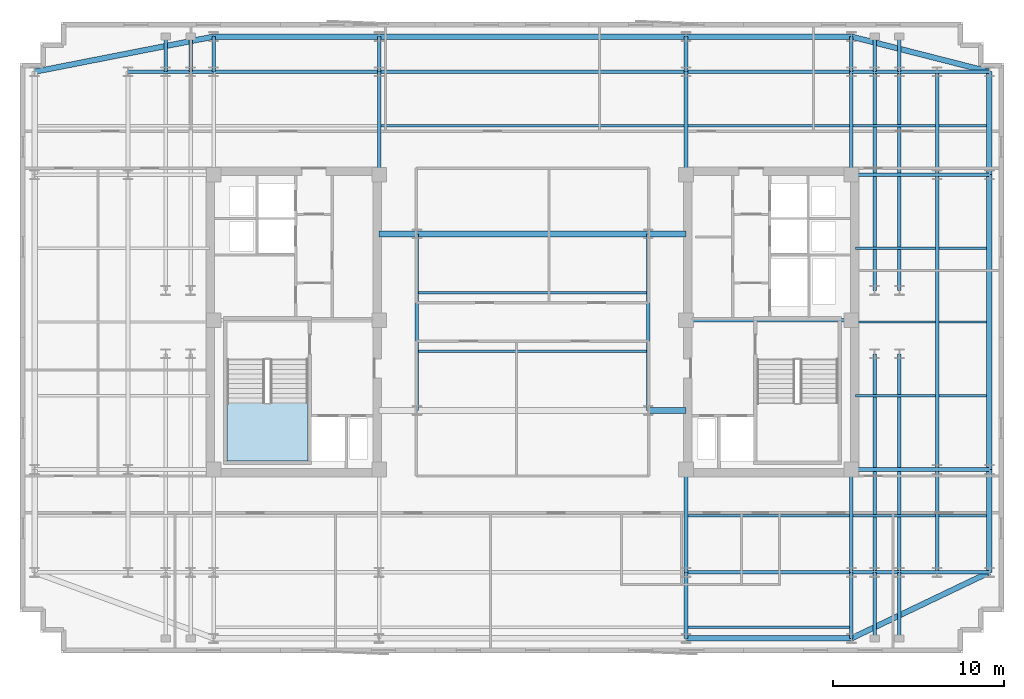
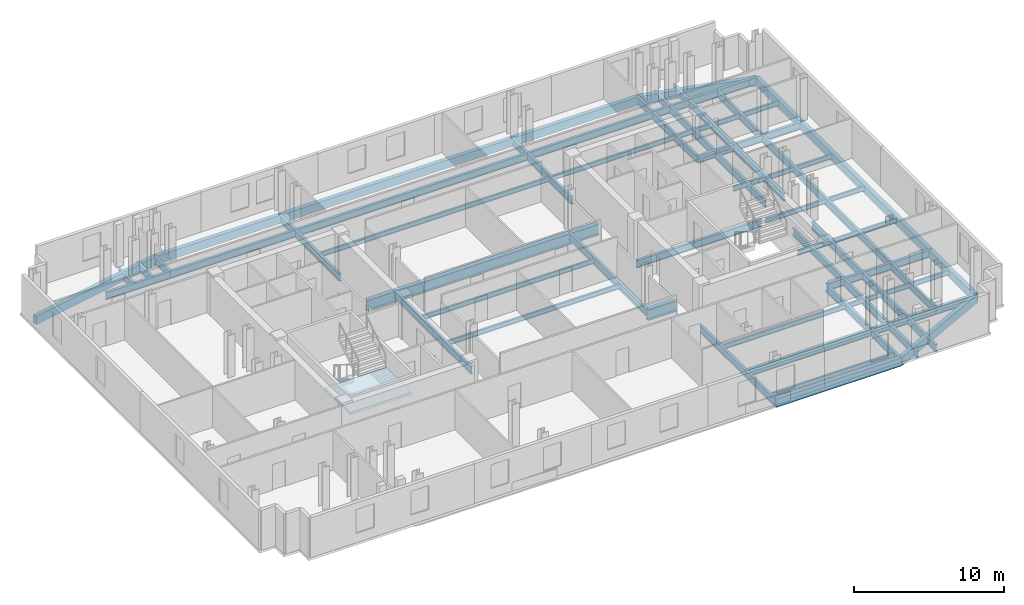
# One storey, part 2 of 9: 70 beams, 1 slab, 1 element without a shape of its own.
"""IFC4 building model written with IfcOpenShell, lengths in metres."""

from ifc_helpers import new_model, si_unit, direction, frame, origin, origin_2d, place, context, subcontext, project, spatial, polyline, rectangle, i_section, outline, extrude, material, layer, layer_set, material_profile, profile_set, type_object, element, aggregate, save


model = new_model("IFC4")

# Units and contexts
model_context = context("Model", 3, precision=1e-05, world=origin(), true_north=direction((0.0, 1.0)))
body_context = subcontext(model_context, "Body", "Model", "MODEL_VIEW")
ifc_project = project(units=[si_unit("LENGTHUNIT", "METRE"), si_unit("AREAUNIT", "SQUARE_METRE"), si_unit("VOLUMEUNIT", "CUBIC_METRE"), si_unit("PLANEANGLEUNIT", "RADIAN"), si_unit("MASSUNIT", "GRAM", prefix="KILO")], contexts=[model_context])

# Site, building, storey
site_placement = place(None, origin())
site = spatial("IfcSite", under=ifc_project, at=site_placement, CompositionType="ELEMENT")
building_placement = place(site_placement, origin())
building = spatial("IfcBuilding", under=site, at=building_placement, Name="Velakula Bourse", CompositionType="ELEMENT")
storey_placement = place(building_placement, frame((0.0, 0.0, 218.85009765625)))
storey = spatial("IfcBuildingStorey", under=building, at=storey_placement, Name="L59", CompositionType="ELEMENT", Elevation=218.85009765625)

# Beams
ifc_material_1 = material(Name="Steel IS 2062 Grade 350 (E350)", Category="steel")
ifc_material_profile_1 = material_profile(ifc_material_1, i_section(OverallWidth=0.2099609375, OverallDepth=0.60009765625, WebThickness=0.011962890625, FlangeThickness=0.020751953125, at=origin_2d()), Name="Steel IS 2062 Grade 350 (E350)")
ifc_profile_set_1 = profile_set([ifc_material_profile_1], Name="Steel IS 2062 Grade 350 (E350)")
beam_type_1 = type_object("IfcBeamType", Name="BM-GRD-600L", PredefinedType="BEAM", material=ifc_profile_set_1)
beam_1_placement = place(storey_placement, frame((8.949951171875, 0.10009765625, -0.47998046875), z_axis=(1.0, 0.0, 0.0), x_axis=(0.0, 1.0, 0.0)))
element("IfcBeam", 1, at=beam_1_placement, inside=storey, type_object=beam_type_1, Name="L59 Primary Backbone Girder CRE-M", PredefinedType="BEAM", context=body_context, shape_type="SweptSolid", body=[
    extrude(i_section(OverallWidth=0.2099609375, OverallDepth=0.60009765625, WebThickness=0.011962890625, FlangeThickness=0.020751953125, at=origin_2d()), origin(), (0.0, 0.0, 1.0), 9.650146484375),
])
for number, where, z_axis, x_axis, name in (
    (2, (-6.75, -5.14990234375, -0.47998046875), (0.0, 1.0, 0.0), (-1.0, 0.0, 0.0), "L59 Primary Backbone Girder SPN-W"),
    (3, (6.75, -5.14990234375, -0.47998046875), (0.0, 1.0, 0.0), (-1.0, 0.0, 0.0), "L59 Primary Backbone Girder SPN-E"),
):
    element("IfcBeam", number, at=place(storey_placement, frame(where, z_axis=z_axis, x_axis=x_axis)), inside=storey, type_object=beam_type_1, Name=name, PredefinedType="BEAM", context=body_context, shape_type="SweptSolid", body=[
        extrude(i_section(OverallWidth=0.2099609375, OverallDepth=0.60009765625, WebThickness=0.011962890625, FlangeThickness=0.020751953125, at=origin_2d()), origin(), (0.0, 0.0, 1.0), 10.2998046875),
    ])
for number, where, z_axis, x_axis, name in (
    (4, (-8.949951171875, 8.60009765625, -0.47998046875), (0.0, 1.0, 0.0), (-1.0, 0.0, 0.0), "L59 Fulcrum Grid Girder FLC-WCN"),
    (5, (8.949951171875, -14.60009765625, -0.47998046875), (0.0, 1.0, 0.0), (-1.0, 0.0, 0.0), "L59 Fulcrum Grid Girder FLC-ECS"),
    (6, (8.949951171875, 8.60009765625, -0.47998046875), (0.0, 1.0, 0.0), (-1.0, 0.0, 0.0), "L59 Fulcrum Grid Girder FLC-ECN"),
    (7, (18.60009765625, -14.60009765625, -0.47998046875), (0.0, 1.0, 0.0), (-1.0, 0.0, 0.0), "L59 Fulcrum Grid Girder FLC-ES"),
    (8, (18.60009765625, 8.60009765625, -0.47998046875), (0.0, 1.0, 0.0), (-1.0, 0.0, 0.0), "L59 Fulcrum Grid Girder FLC-EN"),
):
    element("IfcBeam", number, at=place(storey_placement, frame(where, z_axis=z_axis, x_axis=x_axis)), inside=storey, type_object=beam_type_1, Name=name, PredefinedType="BEAM", context=body_context, shape_type="SweptSolid", body=[
        extrude(i_section(OverallWidth=0.2099609375, OverallDepth=0.60009765625, WebThickness=0.011962890625, FlangeThickness=0.020751953125, at=origin_2d()), origin(), (0.0, 0.0, 1.0), 6.0),
    ])
for number, where, z_axis, x_axis, name in (
    (9, (8.949951171875, -14.60009765625, -0.47998046875), (1.0, 0.0, 0.0), (0.0, 1.0, 0.0), "L59 Fulcrum Grid Girder FLC-S3"),
    (10, (-18.60009765625, 14.60009765625, -0.47998046875), (1.0, 0.0, 0.0), (0.0, 1.0, 0.0), "L59 Fulcrum Grid Girder FLC-N1"),
):
    element("IfcBeam", number, at=place(storey_placement, frame(where, z_axis=z_axis, x_axis=x_axis)), inside=storey, type_object=beam_type_1, Name=name, PredefinedType="BEAM", context=body_context, shape_type="SweptSolid", body=[
        extrude(i_section(OverallWidth=0.2099609375, OverallDepth=0.60009765625, WebThickness=0.011962890625, FlangeThickness=0.020751953125, at=origin_2d()), origin(), (0.0, 0.0, 1.0), 9.650146484375),
    ])
beam_2_placement = place(storey_placement, frame((-8.949951171875, 14.60009765625, -0.47998046875), z_axis=(1.0, 0.0, 0.0), x_axis=(0.0, 1.0, 0.0)))
element("IfcBeam", 11, at=beam_2_placement, inside=storey, type_object=beam_type_1, Name="L59 Fulcrum Grid Girder FLC-N2", PredefinedType="BEAM", context=body_context, shape_type="SweptSolid", body=[
    extrude(i_section(OverallWidth=0.2099609375, OverallDepth=0.60009765625, WebThickness=0.011962890625, FlangeThickness=0.020751953125, at=origin_2d()), origin(), (0.0, 0.0, 1.0), 17.89990234375),
])
beam_3_placement = place(storey_placement, frame((8.949951171875, 14.60009765625, -0.47998046875), z_axis=(1.0, 0.0, 0.0), x_axis=(0.0, 1.0, 0.0)))
element("IfcBeam", 12, at=beam_3_placement, inside=storey, type_object=beam_type_1, Name="L59 Fulcrum Grid Girder FLC-N3", PredefinedType="BEAM", context=body_context, shape_type="SweptSolid", body=[
    extrude(i_section(OverallWidth=0.2099609375, OverallDepth=0.60009765625, WebThickness=0.011962890625, FlangeThickness=0.020751953125, at=origin_2d()), origin(), (0.0, 0.0, 1.0), 9.650146484375),
])
for number, where, z_axis, x_axis, name in (
    (13, (19.949951171875, -14.60009765625, -0.47998046875), (0.0, 1.0, 0.0), (-1.0, 0.0, 0.0), "L59 Fulcrum Grid Girder FLC-PSE1"),
    (14, (19.949951171875, 1.85009765625, -0.47998046875), (0.0, 1.0, 0.0), (-1.0, 0.0, 0.0), "L59 Fulcrum Grid Girder FLC-PNE1"),
    (15, (21.39990234375, -14.60009765625, -0.47998046875), (0.0, 1.0, 0.0), (-1.0, 0.0, 0.0), "L59 Fulcrum Grid Girder FLC-PSE2"),
    (16, (21.39990234375, 1.85009765625, -0.47998046875), (0.0, 1.0, 0.0), (-1.0, 0.0, 0.0), "L59 Fulcrum Grid Girder FLC-PNE2"),
):
    element("IfcBeam", number, at=place(storey_placement, frame(where, z_axis=z_axis, x_axis=x_axis)), inside=storey, type_object=beam_type_1, Name=name, PredefinedType="BEAM", context=body_context, shape_type="SweptSolid", body=[
        extrude(i_section(OverallWidth=0.2099609375, OverallDepth=0.60009765625, WebThickness=0.011962890625, FlangeThickness=0.020751953125, at=origin_2d()), origin(), (0.0, 0.0, 1.0), 12.75),
    ])
for number, where, z_axis, x_axis, name in (
    (17, (-23.60009765625, 14.60009765625, -0.47998046875), (1.0, 0.0, 0.0), (0.0, 1.0, 0.0), "L59 Fulcrum Grid Girder MWG-WN2"),
    (18, (18.60009765625, -14.60009765625, -0.47998046875), (1.0, 0.0, 0.0), (0.0, 1.0, 0.0), "L59 Fulcrum Grid Girder MWG-ES1"),
    (19, (18.60009765625, -8.60009765625, -0.47998046875), (1.0, 0.0, 0.0), (0.0, 1.0, 0.0), "L59 Fulcrum Grid Girder MWG-ES2"),
    (20, (18.60009765625, 8.60009765625, -0.47998046875), (1.0, 0.0, 0.0), (0.0, 1.0, 0.0), "L59 Fulcrum Grid Girder MWG-EN1"),
    (21, (18.60009765625, 14.60009765625, -0.47998046875), (1.0, 0.0, 0.0), (0.0, 1.0, 0.0), "L59 Fulcrum Grid Girder MWG-EN2"),
):
    element("IfcBeam", number, at=place(storey_placement, frame(where, z_axis=z_axis, x_axis=x_axis)), inside=storey, type_object=beam_type_1, Name=name, PredefinedType="BEAM", context=body_context, shape_type="SweptSolid", body=[
        extrude(i_section(OverallWidth=0.2099609375, OverallDepth=0.60009765625, WebThickness=0.011962890625, FlangeThickness=0.020751953125, at=origin_2d()), origin(), (0.0, 0.0, 1.0), 5.0),
    ])
beam_4_placement = place(storey_placement, frame((23.60009765625, -14.60009765625, -0.47998046875), z_axis=(0.0, 1.0, 0.0), x_axis=(-1.0, 0.0, 0.0)))
element("IfcBeam", 22, at=beam_4_placement, inside=storey, type_object=beam_type_1, Name="L59 Fulcrum Grid Girder MWG-ENS1", PredefinedType="BEAM", context=body_context, shape_type="SweptSolid", body=[
    extrude(i_section(OverallWidth=0.2099609375, OverallDepth=0.60009765625, WebThickness=0.011962890625, FlangeThickness=0.020751953125, at=origin_2d()), origin(), (0.0, 0.0, 1.0), 6.0),
])
beam_5_placement = place(storey_placement, frame((23.60009765625, -8.60009765625, -0.47998046875), z_axis=(0.0, 1.0, 0.0), x_axis=(-1.0, 0.0, 0.0)))
element("IfcBeam", 23, at=beam_5_placement, inside=storey, type_object=beam_type_1, Name="L59 Fulcrum Grid Girder MWG-ENS2", PredefinedType="BEAM", context=body_context, shape_type="SweptSolid", body=[
    extrude(i_section(OverallWidth=0.2099609375, OverallDepth=0.60009765625, WebThickness=0.011962890625, FlangeThickness=0.020751953125, at=origin_2d()), origin(), (0.0, 0.0, 1.0), 17.2001953125),
])
beam_6_placement = place(storey_placement, frame((23.60009765625, 8.60009765625, -0.47998046875), z_axis=(0.0, 1.0, 0.0), x_axis=(-1.0, 0.0, 0.0)))
element("IfcBeam", 24, at=beam_6_placement, inside=storey, type_object=beam_type_1, Name="L59 Fulcrum Grid Girder MWG-ENS3", PredefinedType="BEAM", context=body_context, shape_type="SweptSolid", body=[
    extrude(i_section(OverallWidth=0.2099609375, OverallDepth=0.60009765625, WebThickness=0.011962890625, FlangeThickness=0.020751953125, at=origin_2d()), origin(), (0.0, 0.0, 1.0), 6.0),
])
for number, where, z_axis, x_axis, name in (
    (25, (8.949951171875, -14.60009765625, -0.47998046875), (0.0, -1.0, 0.0), (1.0, 0.0, 0.0), "L59 Perimeter Tie Girder S3"),
    (26, (18.60009765625, -14.60009765625, -0.47998046875), (0.0, -1.0, 0.0), (1.0, 0.0, 0.0), "L59 Perimeter Tie Girder S4"),
):
    element("IfcBeam", number, at=place(storey_placement, frame(where, z_axis=z_axis, x_axis=x_axis)), inside=storey, type_object=beam_type_1, Name=name, PredefinedType="BEAM", context=body_context, shape_type="SweptSolid", body=[
        extrude(i_section(OverallWidth=0.2099609375, OverallDepth=0.60009765625, WebThickness=0.011962890625, FlangeThickness=0.020751953125, at=origin_2d()), origin(), (0.0, 0.0, 1.0), 3.849853515625),
    ])
for number, where, z_axis, x_axis, name in (
    (27, (-18.60009765625, 14.60009765625, -0.47998046875), (0.0, 1.0, 0.0), (-1.0, 0.0, 0.0), "L59 Perimeter Tie Girder N1"),
    (28, (-8.949951171875, 14.60009765625, -0.47998046875), (0.0, 1.0, 0.0), (-1.0, 0.0, 0.0), "L59 Perimeter Tie Girder N2"),
    (29, (8.949951171875, 14.60009765625, -0.47998046875), (0.0, 1.0, 0.0), (-1.0, 0.0, 0.0), "L59 Perimeter Tie Girder N3"),
    (30, (18.60009765625, 14.60009765625, -0.47998046875), (0.0, 1.0, 0.0), (-1.0, 0.0, 0.0), "L59 Perimeter Tie Girder N4"),
):
    element("IfcBeam", number, at=place(storey_placement, frame(where, z_axis=z_axis, x_axis=x_axis)), inside=storey, type_object=beam_type_1, Name=name, PredefinedType="BEAM", context=body_context, shape_type="SweptSolid", body=[
        extrude(i_section(OverallWidth=0.2099609375, OverallDepth=0.60009765625, WebThickness=0.011962890625, FlangeThickness=0.020751953125, at=origin_2d()), origin(), (0.0, 0.0, 1.0), 2.0498046875),
    ])
for number, where, z_axis, x_axis, name in (
    (31, (23.60009765625, -14.60009765625, -0.47998046875), (1.0, 0.0, 0.0), (0.0, 1.0, 0.0), "L59 Perimeter Tie Girder E1"),
    (32, (23.60009765625, -8.60009765625, -0.47998046875), (1.0, 0.0, 0.0), (0.0, 1.0, 0.0), "L59 Perimeter Tie Girder E2"),
    (33, (23.60009765625, 8.60009765625, -0.47998046875), (1.0, 0.0, 0.0), (0.0, 1.0, 0.0), "L59 Perimeter Tie Girder E3"),
    (34, (23.60009765625, 14.60009765625, -0.47998046875), (1.0, 0.0, 0.0), (0.0, 1.0, 0.0), "L59 Perimeter Tie Girder E4"),
):
    element("IfcBeam", number, at=place(storey_placement, frame(where, z_axis=z_axis, x_axis=x_axis)), inside=storey, type_object=beam_type_1, Name=name, PredefinedType="BEAM", context=body_context, shape_type="SweptSolid", body=[
        extrude(i_section(OverallWidth=0.2099609375, OverallDepth=0.60009765625, WebThickness=0.011962890625, FlangeThickness=0.020751953125, at=origin_2d()), origin(), (0.0, 0.0, 1.0), 3.0498046875),
    ])
for number, where, z_axis, x_axis, name in (
    (35, (19.949951171875, -14.60009765625, -0.47998046875), (0.0, -1.0, 0.0), (1.0, 0.0, 0.0), "L59 Perimeter Tie Girder P03"),
    (36, (21.39990234375, -14.60009765625, -0.47998046875), (0.0, -1.0, 0.0), (1.0, 0.0, 0.0), "L59 Perimeter Tie Girder P04"),
):
    element("IfcBeam", number, at=place(storey_placement, frame(where, z_axis=z_axis, x_axis=x_axis)), inside=storey, type_object=beam_type_1, Name=name, PredefinedType="BEAM", context=body_context, shape_type="SweptSolid", body=[
        extrude(i_section(OverallWidth=0.2099609375, OverallDepth=0.60009765625, WebThickness=0.011962890625, FlangeThickness=0.020751953125, at=origin_2d()), origin(), (0.0, 0.0, 1.0), 3.849853515625),
    ])
for number, where, z_axis, x_axis, name in (
    (37, (-21.39990234375, 14.60009765625, -0.47998046875), (0.0, 1.0, 0.0), (-1.0, 0.0, 0.0), "L59 Perimeter Tie Girder P05"),
    (38, (-19.949951171875, 14.60009765625, -0.47998046875), (0.0, 1.0, 0.0), (-1.0, 0.0, 0.0), "L59 Perimeter Tie Girder P06"),
    (39, (19.949951171875, 14.60009765625, -0.47998046875), (0.0, 1.0, 0.0), (-1.0, 0.0, 0.0), "L59 Perimeter Tie Girder P07"),
    (40, (21.39990234375, 14.60009765625, -0.47998046875), (0.0, 1.0, 0.0), (-1.0, 0.0, 0.0), "L59 Perimeter Tie Girder P08"),
):
    element("IfcBeam", number, at=place(storey_placement, frame(where, z_axis=z_axis, x_axis=x_axis)), inside=storey, type_object=beam_type_1, Name=name, PredefinedType="BEAM", context=body_context, shape_type="SweptSolid", body=[
        extrude(i_section(OverallWidth=0.2099609375, OverallDepth=0.60009765625, WebThickness=0.011962890625, FlangeThickness=0.020751953125, at=origin_2d()), origin(), (0.0, 0.0, 1.0), 2.0498046875),
    ])
ifc_material_profile_2 = material_profile(ifc_material_1, i_section(OverallWidth=0.35009765625, OverallDepth=0.89990234375, WebThickness=0.02001953125, FlangeThickness=0.031982421875, at=origin_2d()), Name="Steel IS 2062 Grade 350 (E350)")
ifc_profile_set_2 = profile_set([ifc_material_profile_2], Name="Steel IS 2062 Grade 350 (E350)")
beam_type_2 = type_object("IfcBeamType", Name="BM-LNK-900", PredefinedType="BEAM", material=ifc_profile_set_2)
for number, where, z_axis, x_axis, name in (
    (41, (6.75, -5.14990234375, -0.630126953125), (1.0, 0.0, 0.0), (0.0, 1.0, 0.0), "L59 Primary Backbone Girder LNK-S3"),
    (42, (-8.949951171875, 5.14990234375, -0.630126953125), (1.0, 0.0, 0.0), (0.0, 1.0, 0.0), "L59 Primary Backbone Girder LNK-N1"),
):
    element("IfcBeam", number, at=place(storey_placement, frame(where, z_axis=z_axis, x_axis=x_axis)), inside=storey, type_object=beam_type_2, Name=name, PredefinedType="BEAM", context=body_context, shape_type="SweptSolid", body=[
        extrude(i_section(OverallWidth=0.35009765625, OverallDepth=0.89990234375, WebThickness=0.02001953125, FlangeThickness=0.031982421875, at=origin_2d()), origin(), (0.0, 0.0, 1.0), 2.199951171875),
    ])
beam_7_placement = place(storey_placement, frame((-6.75, 5.14990234375, -0.630126953125), z_axis=(1.0, 0.0, 0.0), x_axis=(0.0, 1.0, 0.0)))
element("IfcBeam", 43, at=beam_7_placement, inside=storey, type_object=beam_type_2, Name="L59 Primary Backbone Girder LNK-N2", PredefinedType="BEAM", context=body_context, shape_type="SweptSolid", body=[
    extrude(i_section(OverallWidth=0.35009765625, OverallDepth=0.89990234375, WebThickness=0.02001953125, FlangeThickness=0.031982421875, at=origin_2d()), origin(), (0.0, 0.0, 1.0), 13.5),
])
beam_8_placement = place(storey_placement, frame((6.75, 5.14990234375, -0.630126953125), z_axis=(1.0, 0.0, 0.0), x_axis=(0.0, 1.0, 0.0)))
element("IfcBeam", 44, at=beam_8_placement, inside=storey, type_object=beam_type_2, Name="L59 Primary Backbone Girder LNK-N3", PredefinedType="BEAM", context=body_context, shape_type="SweptSolid", body=[
    extrude(i_section(OverallWidth=0.35009765625, OverallDepth=0.89990234375, WebThickness=0.02001953125, FlangeThickness=0.031982421875, at=origin_2d()), origin(), (0.0, 0.0, 1.0), 2.199951171875),
])
ifc_material_profile_3 = material_profile(ifc_material_1, i_section(OverallWidth=0.139892578125, OverallDepth=0.39990234375, WebThickness=0.0087890625, FlangeThickness=0.01611328125, at=origin_2d()), Name="Steel IS 2062 Grade 350 (E350)")
ifc_profile_set_3 = profile_set([ifc_material_profile_3], Name="Steel IS 2062 Grade 350 (E350)")
beam_type_3 = type_object("IfcBeamType", Name="JST-TWR-400", PredefinedType="JOIST", material=ifc_profile_set_3)
for number, where, z_axis, x_axis, name in (
    (45, (9.054931640625, -17.800048828125, -0.380126953125), (1.0, 0.0, 0.0), (0.0, 1.0, 0.0), "L59 Trading Floor Composite Joist 03"),
    (46, (9.054931640625, -11.300048828125, -0.380126953125), (1.0, 0.0, 0.0), (0.0, 1.0, 0.0), "L59 Trading Floor Composite Joist 08"),
):
    element("IfcBeam", number, at=place(storey_placement, frame(where, z_axis=z_axis, x_axis=x_axis)), inside=storey, type_object=beam_type_3, Name=name, PredefinedType="JOIST", context=body_context, shape_type="SweptSolid", body=[
        extrude(i_section(OverallWidth=0.139892578125, OverallDepth=0.39990234375, WebThickness=0.0087890625, FlangeThickness=0.01611328125, at=origin_2d()), origin(), (0.0, 0.0, 1.0), 9.440185546875),
    ])
beam_9_placement = place(storey_placement, frame((18.705078125, -11.300048828125, -0.380126953125), z_axis=(1.0, 0.0, 0.0), x_axis=(0.0, 1.0, 0.0)))
element("IfcBeam", 47, at=beam_9_placement, inside=storey, type_object=beam_type_3, Name="L59 Trading Floor Composite Joist 09", PredefinedType="JOIST", context=body_context, shape_type="SweptSolid", body=[
    extrude(i_section(OverallWidth=0.139892578125, OverallDepth=0.39990234375, WebThickness=0.0087890625, FlangeThickness=0.01611328125, at=origin_2d()), origin(), (0.0, 0.0, 1.0), 4.7900390625),
])
beam_10_placement = place(storey_placement, frame((23.705078125, -11.300048828125, -0.380126953125), z_axis=(1.0, 0.0, 0.0), x_axis=(0.0, 1.0, 0.0)))
element("IfcBeam", 48, at=beam_10_placement, inside=storey, type_object=beam_type_3, Name="L59 Trading Floor Composite Joist 10", PredefinedType="JOIST", context=body_context, shape_type="SweptSolid", body=[
    extrude(i_section(OverallWidth=0.139892578125, OverallDepth=0.39990234375, WebThickness=0.0087890625, FlangeThickness=0.01611328125, at=origin_2d()), origin(), (0.0, 0.0, 1.0), 2.784912109375),
])
beam_11_placement = place(storey_placement, frame((-8.844970703125, 11.449951171875, -0.380126953125), z_axis=(1.0, 0.0, 0.0), x_axis=(0.0, 1.0, 0.0)))
element("IfcBeam", 49, at=beam_11_placement, inside=storey, type_object=beam_type_3, Name="L59 Trading Floor Composite Joist 14", PredefinedType="JOIST", context=body_context, shape_type="SweptSolid", body=[
    extrude(i_section(OverallWidth=0.139892578125, OverallDepth=0.39990234375, WebThickness=0.0087890625, FlangeThickness=0.01611328125, at=origin_2d()), origin(), (0.0, 0.0, 1.0), 17.68994140625),
])
beam_12_placement = place(storey_placement, frame((9.054931640625, 11.449951171875, -0.380126953125), z_axis=(1.0, 0.0, 0.0), x_axis=(0.0, 1.0, 0.0)))
element("IfcBeam", 50, at=beam_12_placement, inside=storey, type_object=beam_type_3, Name="L59 Trading Floor Composite Joist 15", PredefinedType="JOIST", context=body_context, shape_type="SweptSolid", body=[
    extrude(i_section(OverallWidth=0.139892578125, OverallDepth=0.39990234375, WebThickness=0.0087890625, FlangeThickness=0.01611328125, at=origin_2d()), origin(), (0.0, 0.0, 1.0), 9.440185546875),
])
beam_13_placement = place(storey_placement, frame((18.705078125, 11.449951171875, -0.380126953125), z_axis=(1.0, 0.0, 0.0), x_axis=(0.0, 1.0, 0.0)))
element("IfcBeam", 51, at=beam_13_placement, inside=storey, type_object=beam_type_3, Name="L59 Trading Floor Composite Joist 16", PredefinedType="JOIST", context=body_context, shape_type="SweptSolid", body=[
    extrude(i_section(OverallWidth=0.139892578125, OverallDepth=0.39990234375, WebThickness=0.0087890625, FlangeThickness=0.01611328125, at=origin_2d()), origin(), (0.0, 0.0, 1.0), 4.7900390625),
])
beam_14_placement = place(storey_placement, frame((23.705078125, 11.449951171875, -0.380126953125), z_axis=(1.0, 0.0, 0.0), x_axis=(0.0, 1.0, 0.0)))
element("IfcBeam", 52, at=beam_14_placement, inside=storey, type_object=beam_type_3, Name="L59 Trading Floor Composite Joist 17", PredefinedType="JOIST", context=body_context, shape_type="SweptSolid", body=[
    extrude(i_section(OverallWidth=0.139892578125, OverallDepth=0.39990234375, WebThickness=0.0087890625, FlangeThickness=0.01611328125, at=origin_2d()), origin(), (0.0, 0.0, 1.0), 2.784912109375),
])
for number, where, z_axis, x_axis, name in (
    (53, (-6.64501953125, -1.699951171875, -0.380126953125), (1.0, 0.0, 0.0), (0.0, 1.0, 0.0), "L59 Trading Floor Composite Joist 18"),
    (54, (-6.64501953125, 1.699951171875, -0.380126953125), (1.0, 0.0, 0.0), (0.0, 1.0, 0.0), "L59 Trading Floor Composite Joist 19"),
):
    element("IfcBeam", number, at=place(storey_placement, frame(where, z_axis=z_axis, x_axis=x_axis)), inside=storey, type_object=beam_type_3, Name=name, PredefinedType="JOIST", context=body_context, shape_type="SweptSolid", body=[
        extrude(i_section(OverallWidth=0.139892578125, OverallDepth=0.39990234375, WebThickness=0.0087890625, FlangeThickness=0.01611328125, at=origin_2d()), origin(), (0.0, 0.0, 1.0), 13.2900390625),
    ])
beam_15_placement = place(storey_placement, frame((18.85009765625, -4.300048828125, -0.380126953125), z_axis=(1.0, 0.0, 0.0), x_axis=(0.0, 1.0, 0.0)))
element("IfcBeam", 55, at=beam_15_placement, inside=storey, type_object=beam_type_3, Name="L59 Trading Floor Composite Joist 22", PredefinedType="JOIST", context=body_context, shape_type="SweptSolid", body=[
    extrude(i_section(OverallWidth=0.139892578125, OverallDepth=0.39990234375, WebThickness=0.0087890625, FlangeThickness=0.01611328125, at=origin_2d()), origin(), (0.0, 0.0, 1.0), 4.64501953125),
])
beam_16_placement = place(storey_placement, frame((23.705078125, -4.300048828125, -0.380126953125), z_axis=(1.0, 0.0, 0.0), x_axis=(0.0, 1.0, 0.0)))
element("IfcBeam", 56, at=beam_16_placement, inside=storey, type_object=beam_type_3, Name="L59 Trading Floor Composite Joist 23", PredefinedType="JOIST", context=body_context, shape_type="SweptSolid", body=[
    extrude(i_section(OverallWidth=0.139892578125, OverallDepth=0.39990234375, WebThickness=0.0087890625, FlangeThickness=0.01611328125, at=origin_2d()), origin(), (0.0, 0.0, 1.0), 2.784912109375),
])
beam_17_placement = place(storey_placement, frame((18.85009765625, 0.0, -0.380126953125), z_axis=(1.0, 0.0, 0.0), x_axis=(0.0, 1.0, 0.0)))
element("IfcBeam", 57, at=beam_17_placement, inside=storey, type_object=beam_type_3, Name="L59 Trading Floor Composite Joist 26", PredefinedType="JOIST", context=body_context, shape_type="SweptSolid", body=[
    extrude(i_section(OverallWidth=0.139892578125, OverallDepth=0.39990234375, WebThickness=0.0087890625, FlangeThickness=0.01611328125, at=origin_2d()), origin(), (0.0, 0.0, 1.0), 4.64501953125),
])
beam_18_placement = place(storey_placement, frame((23.705078125, 0.0, -0.380126953125), z_axis=(1.0, 0.0, 0.0), x_axis=(0.0, 1.0, 0.0)))
element("IfcBeam", 58, at=beam_18_placement, inside=storey, type_object=beam_type_3, Name="L59 Trading Floor Composite Joist 27", PredefinedType="JOIST", context=body_context, shape_type="SweptSolid", body=[
    extrude(i_section(OverallWidth=0.139892578125, OverallDepth=0.39990234375, WebThickness=0.0087890625, FlangeThickness=0.01611328125, at=origin_2d()), origin(), (0.0, 0.0, 1.0), 2.784912109375),
])
beam_19_placement = place(storey_placement, frame((18.85009765625, 4.300048828125, -0.380126953125), z_axis=(1.0, 0.0, 0.0), x_axis=(0.0, 1.0, 0.0)))
element("IfcBeam", 59, at=beam_19_placement, inside=storey, type_object=beam_type_3, Name="L59 Trading Floor Composite Joist 30", PredefinedType="JOIST", context=body_context, shape_type="SweptSolid", body=[
    extrude(i_section(OverallWidth=0.139892578125, OverallDepth=0.39990234375, WebThickness=0.0087890625, FlangeThickness=0.01611328125, at=origin_2d()), origin(), (0.0, 0.0, 1.0), 4.64501953125),
])
beam_20_placement = place(storey_placement, frame((23.705078125, 4.300048828125, -0.380126953125), z_axis=(1.0, 0.0, 0.0), x_axis=(0.0, 1.0, 0.0)))
element("IfcBeam", 60, at=beam_20_placement, inside=storey, type_object=beam_type_3, Name="L59 Trading Floor Composite Joist 31", PredefinedType="JOIST", context=body_context, shape_type="SweptSolid", body=[
    extrude(i_section(OverallWidth=0.139892578125, OverallDepth=0.39990234375, WebThickness=0.0087890625, FlangeThickness=0.01611328125, at=origin_2d()), origin(), (0.0, 0.0, 1.0), 2.784912109375),
])
ifc_material_2 = material(Name="Precast concrete M45 (fck 45 MPa)", Category="concrete")
ifc_material_profile_4 = material_profile(ifc_material_2, rectangle(XDim=0.320068359375, YDim=0.679931640625, at=origin_2d()), Name="Precast concrete M45 (fck 45 MPa)")
ifc_profile_set_4 = profile_set([ifc_material_profile_4], Name="Precast concrete M45 (fck 45 MPa)")
beam_type_4 = type_object("IfcBeamType", Name="SPN-BRICK-680", PredefinedType="SPANDREL", material=ifc_profile_set_4)
for number, where, z_axis, x_axis, name in (
    (61, (8.949951171875, -18.449951171875, -0.52001953125), (1.0, 0.0, 0.0), (0.0, 1.0, 0.0), "L59 Brick-Faced Precast Spandrel S3-S4"),
    (62, (-18.60009765625, 16.64990234375, -0.52001953125), (1.0, 0.0, 0.0), (0.0, 1.0, 0.0), "L59 Brick-Faced Precast Spandrel N1-N2"),
):
    element("IfcBeam", number, at=place(storey_placement, frame(where, z_axis=z_axis, x_axis=x_axis)), inside=storey, type_object=beam_type_4, Name=name, PredefinedType="SPANDREL", context=body_context, shape_type="SweptSolid", body=[
        extrude(rectangle(XDim=0.320068359375, YDim=0.679931640625, at=origin_2d()), origin(), (0.0, 0.0, 1.0), 9.650146484375),
    ])
beam_21_placement = place(storey_placement, frame((-8.949951171875, 16.64990234375, -0.52001953125), z_axis=(1.0, 0.0, 0.0), x_axis=(0.0, 1.0, 0.0)))
element("IfcBeam", 63, at=beam_21_placement, inside=storey, type_object=beam_type_4, Name="L59 Brick-Faced Precast Spandrel N2-N3", PredefinedType="SPANDREL", context=body_context, shape_type="SweptSolid", body=[
    extrude(rectangle(XDim=0.320068359375, YDim=0.679931640625, at=origin_2d()), origin(), (0.0, 0.0, 1.0), 17.89990234375),
])
beam_22_placement = place(storey_placement, frame((8.949951171875, 16.64990234375, -0.52001953125), z_axis=(1.0, 0.0, 0.0), x_axis=(0.0, 1.0, 0.0)))
element("IfcBeam", 64, at=beam_22_placement, inside=storey, type_object=beam_type_4, Name="L59 Brick-Faced Precast Spandrel N3-N4", PredefinedType="SPANDREL", context=body_context, shape_type="SweptSolid", body=[
    extrude(rectangle(XDim=0.320068359375, YDim=0.679931640625, at=origin_2d()), origin(), (0.0, 0.0, 1.0), 9.650146484375),
])
beam_23_placement = place(storey_placement, frame((26.64990234375, -14.60009765625, -0.52001953125), z_axis=(0.0, 1.0, 0.0), x_axis=(-1.0, 0.0, 0.0)))
element("IfcBeam", 65, at=beam_23_placement, inside=storey, type_object=beam_type_4, Name="L59 Brick-Faced Precast Spandrel E1-E2", PredefinedType="SPANDREL", context=body_context, shape_type="SweptSolid", body=[
    extrude(rectangle(XDim=0.320068359375, YDim=0.679931640625, at=origin_2d()), origin(), (0.0, 0.0, 1.0), 6.0),
])
beam_24_placement = place(storey_placement, frame((26.64990234375, -8.60009765625, -0.52001953125), z_axis=(0.0, 1.0, 0.0), x_axis=(-1.0, 0.0, 0.0)))
element("IfcBeam", 66, at=beam_24_placement, inside=storey, type_object=beam_type_4, Name="L59 Brick-Faced Precast Spandrel E2-E3", PredefinedType="SPANDREL", context=body_context, shape_type="SweptSolid", body=[
    extrude(rectangle(XDim=0.320068359375, YDim=0.679931640625, at=origin_2d()), origin(), (0.0, 0.0, 1.0), 17.2001953125),
])
beam_25_placement = place(storey_placement, frame((26.64990234375, 8.60009765625, -0.52001953125), z_axis=(0.0, 1.0, 0.0), x_axis=(-1.0, 0.0, 0.0)))
element("IfcBeam", 67, at=beam_25_placement, inside=storey, type_object=beam_type_4, Name="L59 Brick-Faced Precast Spandrel E3-E4", PredefinedType="SPANDREL", context=body_context, shape_type="SweptSolid", body=[
    extrude(rectangle(XDim=0.320068359375, YDim=0.679931640625, at=origin_2d()), origin(), (0.0, 0.0, 1.0), 6.0),
])
beam_26_placement = place(storey_placement, frame((18.60009765625, -18.449951171875, -0.52001953125), z_axis=(0.902136536758, 0.431450656561, 0.0), x_axis=(-0.431450656561, 0.902136536758, 0.0)))
element("IfcBeam", 68, at=beam_26_placement, inside=storey, type_object=beam_type_4, Name="L59 Brick-Faced Precast Spandrel S4-E1", PredefinedType="SPANDREL", context=body_context, shape_type="SweptSolid", body=[
    extrude(rectangle(XDim=0.320068359375, YDim=0.679931640625, at=origin_2d()), origin(), (0.0, 0.0, 1.0), 8.923095703125),
])
beam_27_placement = place(storey_placement, frame((26.64990234375, 14.60009765625, -0.52001953125), z_axis=(-0.969075197656, 0.246765599888, 0.0), x_axis=(-0.246765599888, -0.969075197656, 0.0)))
element("IfcBeam", 69, at=beam_27_placement, inside=storey, type_object=beam_type_4, Name="L59 Brick-Faced Precast Spandrel E4-N4", PredefinedType="SPANDREL", context=body_context, shape_type="SweptSolid", body=[
    extrude(rectangle(XDim=0.320068359375, YDim=0.679931640625, at=origin_2d()), origin(), (0.0, 0.0, 1.0), 8.306640625),
])
beam_28_placement = place(storey_placement, frame((-18.60009765625, 16.64990234375, -0.52001953125), z_axis=(-0.981299657048, -0.192486319197, 0.0), x_axis=(0.192486319197, -0.981299657048, 0.0)))
element("IfcBeam", 70, at=beam_28_placement, inside=storey, type_object=beam_type_4, Name="L59 Brick-Faced Precast Spandrel N1-W4", PredefinedType="SPANDREL", context=body_context, shape_type="SweptSolid", body=[
    extrude(rectangle(XDim=0.320068359375, YDim=0.679931640625, at=origin_2d()), origin(), (0.0, 0.0, 1.0), 10.649169921875),
])

# Stair, slab
ifc_material_3 = material(Name="Concrete M45 (fck 45 MPa)", Category="concrete")
stair_type = type_object("IfcStairType", Name="STR-DOG-390", PredefinedType="HALF_TURN_STAIR", material=ifc_material_3)
stair_placement = place(storey_placement, origin())
stair = element("IfcStair", 71, at=stair_placement, inside=storey, type_object=stair_type, Name="L59 West Core Exit Stair ST-W1", PredefinedType="HALF_TURN_STAIR")
ifc_layer = layer(ifc_material_3, 0.199951171875, Name="Concrete M45 (fck 45 MPa)", Category="concrete")
ifc_layer_set = layer_set([ifc_layer], Name="Concrete M45 (fck 45 MPa)")
slab_type = type_object("IfcSlabType", Name="SLB-STAIR-LND-200", PredefinedType="LANDING", material=ifc_layer_set)
slab_placement = place(storey_placement, frame((0.0, 0.0, 1.52490234375)))
slab = element("IfcSlab", 72, at=slab_placement, type_object=slab_type, Name="ST-W1 landing 1", PredefinedType="LANDING", context=body_context, shape_type="SweptSolid", body=[
    extrude(outline(polyline([(-17.820068359375, -4.719970703125), (-17.820068359375, -8.10009765625), (-13.10009765625, -8.10009765625), (-13.10009765625, -4.719970703125), (-17.820068359375, -4.719970703125)])), origin(), (0.0, 0.0, 1.0), 0.199951171875),
])
aggregate(stair, [slab])

save(model, "model.ifc")
